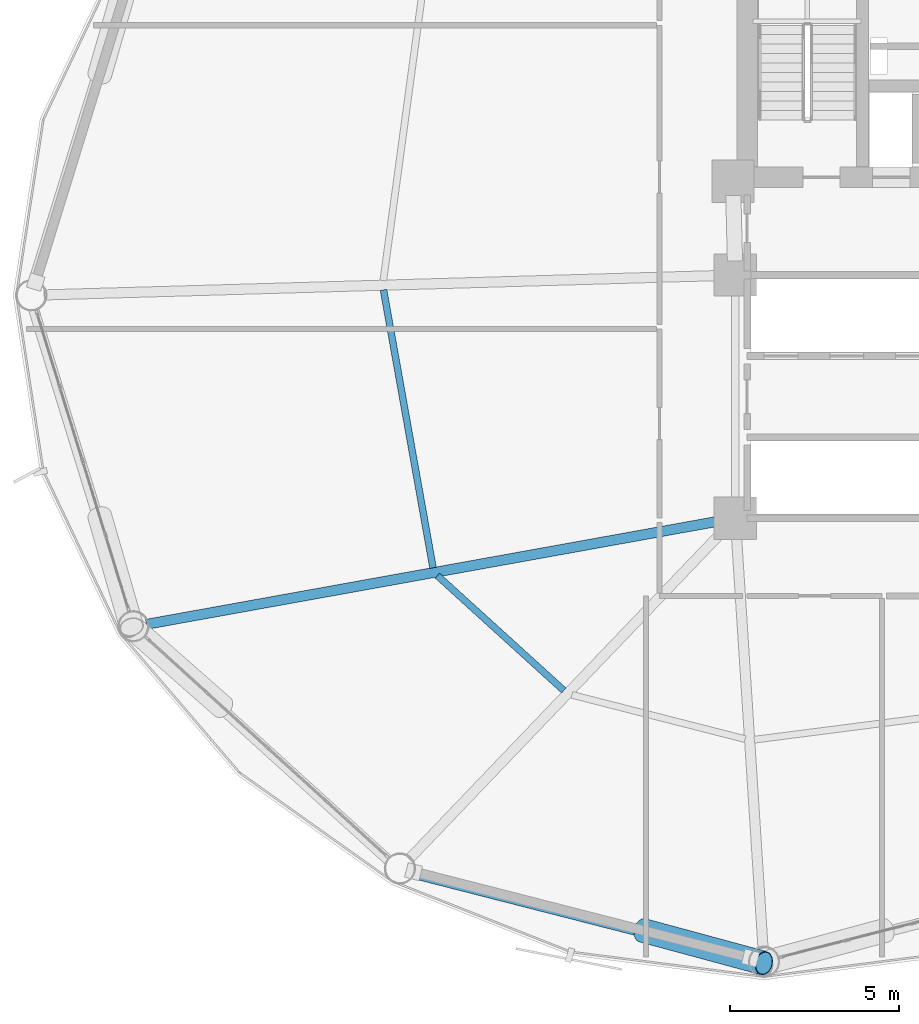
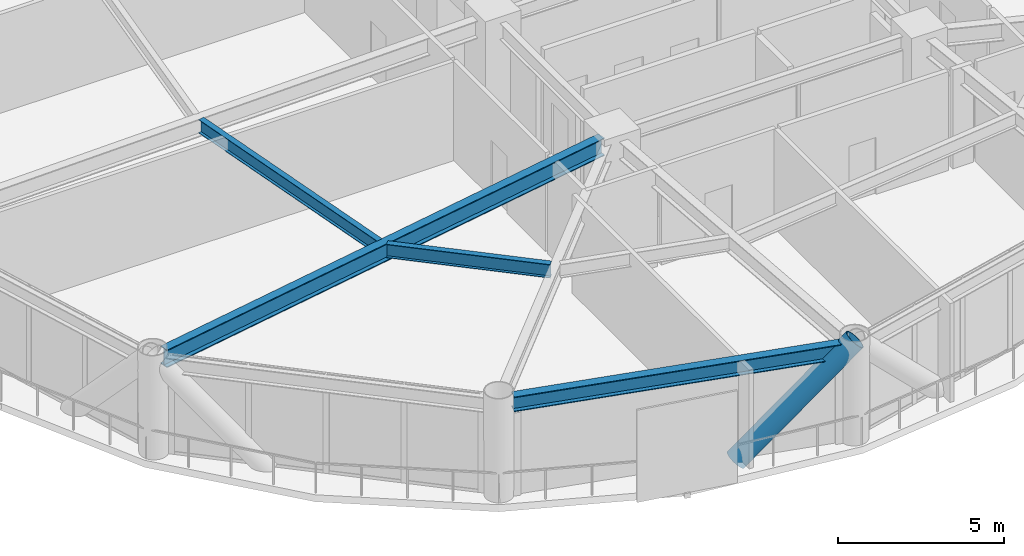
# One storey, part 4 of 25: 4 beams, 1 member.
"""IFC4 building model written with IfcOpenShell, lengths in metres."""

from ifc_helpers import new_model, si_unit, direction, frame, origin, origin_2d, place, context, subcontext, project, spatial, hollow_circle, i_section, extrude, material, material_profile, profile_set, type_object, element, save


model = new_model("IFC4")

# Units and contexts
model_context = context("Model", 3, precision=1e-05, world=origin(), true_north=direction((0.0, 1.0)))
body_context = subcontext(model_context, "Body", "Model", "MODEL_VIEW")
ifc_project = project(units=[si_unit("LENGTHUNIT", "METRE"), si_unit("AREAUNIT", "SQUARE_METRE"), si_unit("VOLUMEUNIT", "CUBIC_METRE"), si_unit("PLANEANGLEUNIT", "RADIAN"), si_unit("MASSUNIT", "GRAM", prefix="KILO")], contexts=[model_context])

# Site, building, storey
site_placement = place(None, origin())
site = spatial("IfcSite", under=ifc_project, at=site_placement, CompositionType="ELEMENT")
building_placement = place(site_placement, origin())
building = spatial("IfcBuilding", under=site, at=building_placement, Name="Varnakorn Sky Granary", CompositionType="ELEMENT")
storey_placement = place(building_placement, frame((0.0, 0.0, 70.5)))
storey = spatial("IfcBuildingStorey", under=building, at=storey_placement, Name="L17", CompositionType="ELEMENT", Elevation=70.5)

# Beams
ifc_material_1 = material(Name="Steel S355JR", Category="steel")
ifc_material_profile_1 = material_profile(ifc_material_1, i_section(OverallWidth=0.300048828125, OverallDepth=0.64990234375, WebThickness=0.01611328125, FlangeThickness=0.031005859375, at=origin_2d()), Name="HE 650 B")
ifc_profile_set_1 = profile_set([ifc_material_profile_1], Name="Steel S355JR")
beam_type_1 = type_object("IfcBeamType", Name="BM-RAD-Z1", PredefinedType="BEAM", material=ifc_profile_set_1)
beam_1_placement = place(storey_placement, frame((-2.76318359375, -6.674560546875, 3.31494140625), z_axis=(-0.984138526822, -0.177401691152, 0.0), x_axis=(0.177401691152, -0.984138526822, 0.0)))
element("IfcBeam", 1, at=beam_1_placement, inside=storey, type_object=beam_type_1, Name="Radial Floor Girder RG08 L17", PredefinedType="BEAM", context=body_context, shape_type="SweptSolid", body=[
    extrude(i_section(OverallWidth=0.300048828125, OverallDepth=0.64990234375, WebThickness=0.01611328125, FlangeThickness=0.031005859375, at=origin_2d()), origin(), (0.0, 0.0, 1.0), 17.3056640625),
])
ifc_material_profile_2 = material_profile(ifc_material_1, i_section(OverallWidth=0.199951171875, OverallDepth=0.5, WebThickness=0.01025390625, FlangeThickness=0.01611328125, at=origin_2d()), Name="IPE 500")
ifc_profile_set_2 = profile_set([ifc_material_profile_2], Name="Steel S355JR")
beam_type_2 = type_object("IfcBeamType", Name="BM-SEC-Z1", PredefinedType="BEAM", material=ifc_profile_set_2)
beam_2_placement = place(storey_placement, frame((-12.7705078125, 0.16259765625, 3.389892578125), z_axis=(0.175398643327, -0.984497494115, 0.0), x_axis=(0.984497494115, 0.175398643327, 0.0)))
element("IfcBeam", 2, at=beam_2_placement, inside=storey, type_object=beam_type_2, Name="Secondary Floor Chord Beam MSB07 L17", PredefinedType="BEAM", context=body_context, shape_type="SweptSolid", body=[
    extrude(i_section(OverallWidth=0.199951171875, OverallDepth=0.5, WebThickness=0.01025390625, FlangeThickness=0.01611328125, at=origin_2d()), origin(), (0.0, 0.0, 1.0), 8.364013671875),
])
beam_3_placement = place(storey_placement, frame((-11.17529296875, -8.3037109375, 3.389892578125), z_axis=(0.740505174824, -0.67205065736, 0.0), x_axis=(0.67205065736, 0.740505174824, 0.0)))
element("IfcBeam", 3, at=beam_3_placement, inside=storey, type_object=beam_type_2, Name="Secondary Floor Chord Beam MSB08 L17", PredefinedType="BEAM", context=body_context, shape_type="SweptSolid", body=[
    extrude(i_section(OverallWidth=0.199951171875, OverallDepth=0.5, WebThickness=0.01025390625, FlangeThickness=0.01611328125, at=origin_2d()), origin(), (0.0, 0.0, 1.0), 5.060791015625),
])
ifc_material_profile_3 = material_profile(ifc_material_1, i_section(OverallWidth=0.300048828125, OverallDepth=0.550048828125, WebThickness=0.014892578125, FlangeThickness=0.029052734375, at=origin_2d()), Name="HE 550 B")
ifc_profile_set_3 = profile_set([ifc_material_profile_3], Name="Steel S355JR")
beam_type_3 = type_object("IfcBeamType", Name="BM-SPD-Z1", PredefinedType="SPANDREL", material=ifc_profile_set_3)
beam_4_placement = place(storey_placement, frame((-11.88525390625, -17.12353515625, 3.364990234375), z_axis=(0.968786255359, -0.247897542196, 0.0), x_axis=(0.247897542196, 0.968786255359, 0.0)))
element("IfcBeam", 4, at=beam_4_placement, inside=storey, type_object=beam_type_3, Name="Perimeter Spandrel Ring Beam RB09 L17", PredefinedType="SPANDREL", context=body_context, shape_type="SweptSolid", body=[
    extrude(i_section(OverallWidth=0.300048828125, OverallDepth=0.550048828125, WebThickness=0.014892578125, FlangeThickness=0.029052734375, at=origin_2d()), origin(), (0.0, 0.0, 1.0), 10.27783203125),
])

# Member
ifc_material_2 = material(Name="Steel S460M", Category="steel")
ifc_material_profile_4 = material_profile(ifc_material_2, hollow_circle(Radius=0.35546875, WallThickness=0.02490234375, at=origin_2d()), Name="CHS 711x25")
ifc_profile_set_4 = profile_set([ifc_material_profile_4], Name="Steel S460M")
member_type = type_object("IfcMemberType", Name="MB-DIAG-T0", PredefinedType="BRACE", material=ifc_profile_set_4)
member_placement = place(storey_placement, frame((-5.09326171875, -18.80908203125, -0.1298828125), z_axis=(0.678247143993, -0.183455760309, 0.71156503264), x_axis=(0.261102298752, 0.965311136156, 0.0)))
element("IfcMember", 5, at=member_placement, inside=storey, type_object=member_type, Name="Perimeter CHS Diagrid Brace DG09 L17", PredefinedType="BRACE", context=body_context, shape_type="SweptSolid", body=[
    extrude(hollow_circle(Radius=0.35546875, WallThickness=0.02490234375, at=origin_2d()), origin(), (0.0, 0.0, 1.0), 5.2978515625),
])

save(model, "model.ifc")
